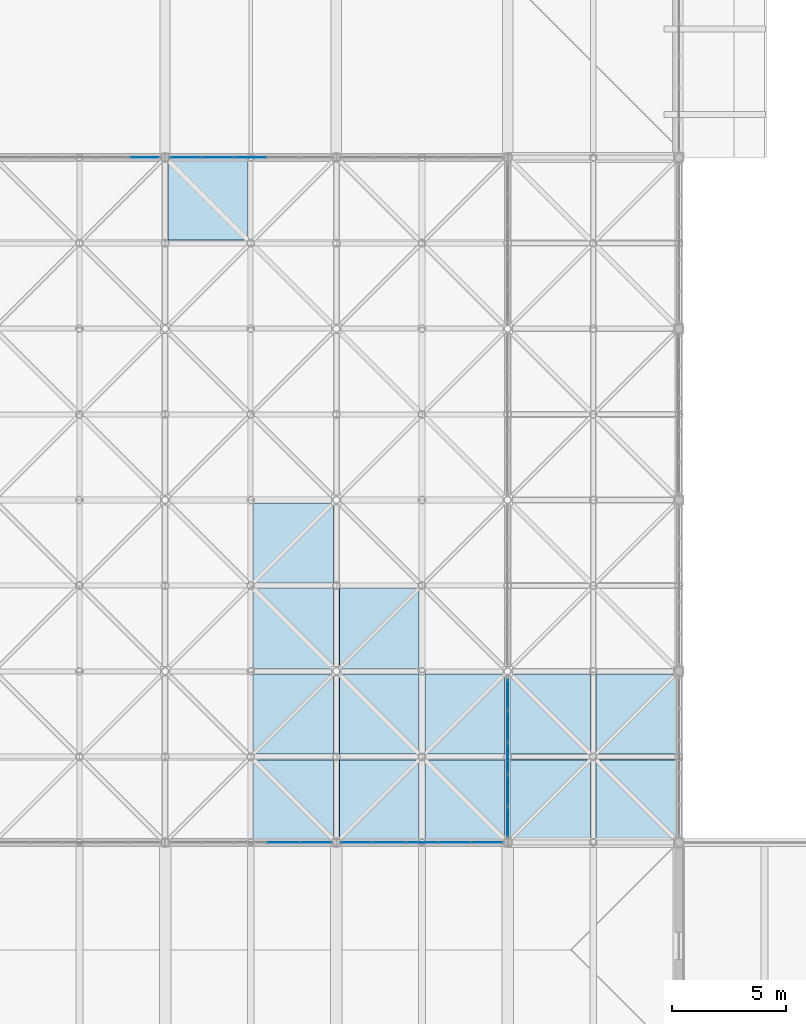
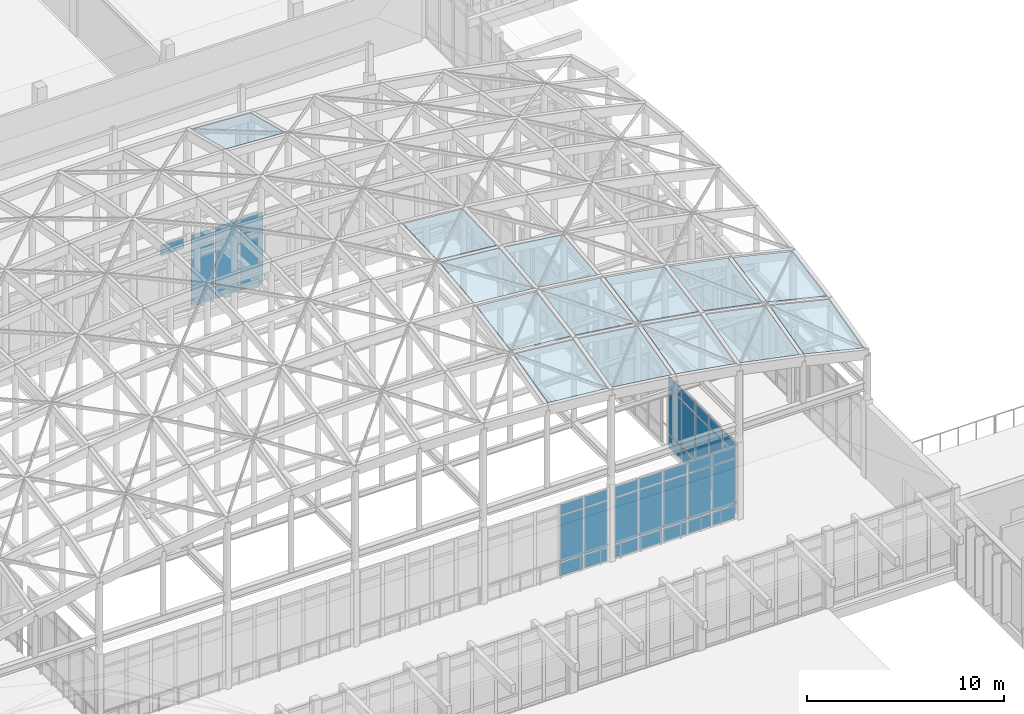
# One storey, part 83 of 131: 60 plates, 6 elements without a shape of their own.
"""IFC4 building model written with IfcOpenShell, lengths in metres."""

from ifc_helpers import new_model, si_unit, direction, frame, origin, origin_2d, place, context, subcontext, project, spatial, polyline, rectangle, outline, extrude, material, layer, layer_set, type_object, element, aggregate, save


model = new_model("IFC4")

# Units and contexts
model_context = context("Model", 3, precision=1e-05, world=origin(), true_north=direction((0.0, 1.0)))
body_context = subcontext(model_context, "Body", "Model", "MODEL_VIEW")
ifc_project = project(units=[si_unit("LENGTHUNIT", "METRE"), si_unit("AREAUNIT", "SQUARE_METRE"), si_unit("VOLUMEUNIT", "CUBIC_METRE"), si_unit("PLANEANGLEUNIT", "RADIAN"), si_unit("MASSUNIT", "GRAM", prefix="KILO")], contexts=[model_context])

# Site, building, storey
site_placement = place(None, origin())
site = spatial("IfcSite", under=ifc_project, at=site_placement, CompositionType="ELEMENT")
building_placement = place(site_placement, origin())
building = spatial("IfcBuilding", under=site, at=building_placement, Name="Dalvernix Boulevard General Hospital", CompositionType="ELEMENT")
storey_placement = place(building_placement, frame((0.0, 0.0, 9.300048828125)))
storey = spatial("IfcBuildingStorey", under=building, at=storey_placement, Name="L02", CompositionType="ELEMENT", Elevation=9.300048828125)

# Curtain wall, plate
ifc_material_1 = material(Name="Thermally broken aluminium and solar-control glass curtain wall", Category="aluminium")
ifc_layer_1 = layer(ifc_material_1, 0.159912109375)
ifc_layer_set_1 = layer_set([ifc_layer_1], Name="Thermally broken aluminium and solar-control glass curtain wall (CW-CW-A-72x46)")
curtain_wall_type_1 = type_object("IfcCurtainWallType", Name="CW-CW-A-72x46", PredefinedType="USERDEFINED", material=ifc_layer_set_1)
curtain_wall_1_placement = place(storey_placement, origin())
curtain_wall_1 = element("IfcCurtainWall", 1, at=curtain_wall_1_placement, inside=storey, type_object=curtain_wall_type_1, Name="L02 curtain wall CW-A-72x46 11-8", ObjectType="GLAZED FACADE", PredefinedType="USERDEFINED")
ifc_material_2 = material(Name="Double-glazed solar-control low-emissivity glass", Category="glass")
ifc_layer_2 = layer(ifc_material_2, 0.02392578125)
ifc_layer_set_2 = layer_set([ifc_layer_2], Name="Double-glazed solar-control low-emissivity glass (PLT-CW-P1)")
plate_type_1 = type_object("IfcPlateType", Name="PLT-CW-P1", PredefinedType="CURTAIN_PANEL", material=ifc_layer_set_2)
plate_1_placement = place(storey_placement, frame((89.10693359375, 61.5, 3.830078125), z_axis=(0.0, 0.0, 1.0), x_axis=(-1.0, 0.0, 0.0)))
plate_1 = element("IfcPlate", 2, at=plate_1_placement, type_object=plate_type_1, Name="CW-A-72x46 panel 1.3", PredefinedType="CURTAIN_PANEL", context=body_context, shape_type="SweptSolid", body=[
    extrude(rectangle(XDim=1.345947265625, YDim=0.02392578125, at=origin_2d()), origin(), (0.0, 0.0, 1.0), 0.659912109375),
])
aggregate(curtain_wall_1, [plate_1])

# Curtain wall, plates
curtain_wall_2_placement = place(storey_placement, origin())
curtain_wall_2 = element("IfcCurtainWall", 3, at=curtain_wall_2_placement, inside=storey, type_object=curtain_wall_type_1, Name="L02 curtain wall CW-A-72x46 12-4", ObjectType="GLAZED FACADE", PredefinedType="USERDEFINED")
plate_2_placement = place(storey_placement, frame((95.18603515625, 31.5, 0.059814453125), z_axis=(0.0, 0.0, 1.0), x_axis=(1.0, 0.0, 0.0)))
plate_2 = element("IfcPlate", 4, at=plate_2_placement, type_object=plate_type_1, Name="CW-A-72x46 panel 4.1", PredefinedType="CURTAIN_PANEL", context=body_context, shape_type="SweptSolid", body=[
    extrude(rectangle(XDim=1.3759765625, YDim=0.02392578125, at=origin_2d()), origin(), (0.0, 0.0, 1.0), 0.81005859375),
])
plate_3_placement = place(storey_placement, frame((95.18603515625, 31.5, 0.9296875), z_axis=(0.0, 0.0, 1.0), x_axis=(1.0, 0.0, 0.0)))
plate_3 = element("IfcPlate", 5, at=plate_3_placement, type_object=plate_type_1, Name="CW-A-72x46 panel 4.2", PredefinedType="CURTAIN_PANEL", context=body_context, shape_type="SweptSolid", body=[
    extrude(rectangle(XDim=1.3759765625, YDim=0.02392578125, at=origin_2d()), origin(), (0.0, 0.0, 1.0), 2.840087890625),
])
plate_4_placement = place(storey_placement, frame((95.18603515625, 31.5, 3.830078125), z_axis=(0.0, 0.0, 1.0), x_axis=(1.0, 0.0, 0.0)))
plate_4 = element("IfcPlate", 6, at=plate_4_placement, type_object=plate_type_1, Name="CW-A-72x46 panel 4.3", PredefinedType="CURTAIN_PANEL", context=body_context, shape_type="SweptSolid", body=[
    extrude(rectangle(XDim=1.3759765625, YDim=0.02392578125, at=origin_2d()), origin(), (0.0, 0.0, 1.0), 0.659912109375),
])
plate_5_placement = place(storey_placement, frame((96.60693359375, 31.5, 0.059814453125), z_axis=(0.0, 0.0, 1.0), x_axis=(1.0, 0.0, 0.0)))
plate_5 = element("IfcPlate", 7, at=plate_5_placement, type_object=plate_type_1, Name="CW-A-72x46 panel 5.1", PredefinedType="CURTAIN_PANEL", context=body_context, shape_type="SweptSolid", body=[
    extrude(rectangle(XDim=1.345947265625, YDim=0.02392578125, at=origin_2d()), origin(), (0.0, 0.0, 1.0), 0.81005859375),
])
plate_6_placement = place(storey_placement, frame((96.60693359375, 31.5, 0.9296875), z_axis=(0.0, 0.0, 1.0), x_axis=(1.0, 0.0, 0.0)))
plate_6 = element("IfcPlate", 8, at=plate_6_placement, type_object=plate_type_1, Name="CW-A-72x46 panel 5.2", PredefinedType="CURTAIN_PANEL", context=body_context, shape_type="SweptSolid", body=[
    extrude(rectangle(XDim=1.345947265625, YDim=0.02392578125, at=origin_2d()), origin(), (0.0, 0.0, 1.0), 2.840087890625),
])
plate_7_placement = place(storey_placement, frame((96.60693359375, 31.5, 3.830078125), z_axis=(0.0, 0.0, 1.0), x_axis=(1.0, 0.0, 0.0)))
plate_7 = element("IfcPlate", 9, at=plate_7_placement, type_object=plate_type_1, Name="CW-A-72x46 panel 5.3", PredefinedType="CURTAIN_PANEL", context=body_context, shape_type="SweptSolid", body=[
    extrude(rectangle(XDim=1.345947265625, YDim=0.02392578125, at=origin_2d()), origin(), (0.0, 0.0, 1.0), 0.659912109375),
])
aggregate(curtain_wall_2, [plate_2, plate_3, plate_4, plate_5, plate_6, plate_7])

ifc_layer_3 = layer(ifc_material_1, 0.179931640625)
ifc_layer_set_3 = layer_set([ifc_layer_3], Name="Thermally broken aluminium and solar-control glass curtain wall (CW-CW-B-72x46)")
curtain_wall_type_2 = type_object("IfcCurtainWallType", Name="CW-CW-B-72x46", PredefinedType="USERDEFINED", material=ifc_layer_set_3)
curtain_wall_3_placement = place(storey_placement, origin())
curtain_wall_3 = element("IfcCurtainWall", 10, at=curtain_wall_3_placement, inside=storey, type_object=curtain_wall_type_2, Name="L02 curtain wall CW-B-72x46 12-8", ObjectType="GLAZED FACADE", PredefinedType="USERDEFINED")
ifc_layer_4 = layer(ifc_material_2, 0.028076171875)
ifc_layer_set_4 = layer_set([ifc_layer_4], Name="Double-glazed solar-control low-emissivity glass (PLT-CW-P2)")
plate_type_2 = type_object("IfcPlateType", Name="PLT-CW-P2", PredefinedType="CURTAIN_PANEL", material=ifc_layer_set_4)
plate_8_placement = place(storey_placement, frame((93.75, 61.5, 0.06494140625), z_axis=(0.0, 0.0, 1.0), x_axis=(-1.0, 0.0, 0.0)))
plate_8 = element("IfcPlate", 11, at=plate_8_placement, type_object=plate_type_2, Name="CW-B-72x46 panel 3.1", PredefinedType="CURTAIN_PANEL", context=body_context, shape_type="SweptSolid", body=[
    extrude(rectangle(XDim=1.37109375, YDim=0.028076171875, at=origin_2d()), origin(), (0.0, 0.0, 1.0), 0.802490234375),
])
plate_9_placement = place(storey_placement, frame((93.75, 61.5, 0.932373046875), z_axis=(0.0, 0.0, 1.0), x_axis=(-1.0, 0.0, 0.0)))
plate_9 = element("IfcPlate", 12, at=plate_9_placement, type_object=plate_type_2, Name="CW-B-72x46 panel 3.2", PredefinedType="CURTAIN_PANEL", context=body_context, shape_type="SweptSolid", body=[
    extrude(rectangle(XDim=1.37109375, YDim=0.028076171875, at=origin_2d()), origin(), (0.0, 0.0, 1.0), 2.8349609375),
])
plate_10_placement = place(storey_placement, frame((93.75, 61.5, 3.83251953125), z_axis=(0.0, 0.0, 1.0), x_axis=(-1.0, 0.0, 0.0)))
plate_10 = element("IfcPlate", 13, at=plate_10_placement, type_object=plate_type_2, Name="CW-B-72x46 panel 3.3", PredefinedType="CURTAIN_PANEL", context=body_context, shape_type="SweptSolid", body=[
    extrude(rectangle(XDim=1.37109375, YDim=0.028076171875, at=origin_2d()), origin(), (0.0, 0.0, 1.0), 0.652587890625),
])
plate_11_placement = place(storey_placement, frame((92.31396484375, 61.5, 0.06494140625), z_axis=(0.0, 0.0, 1.0), x_axis=(-1.0, 0.0, 0.0)))
plate_11 = element("IfcPlate", 14, at=plate_11_placement, type_object=plate_type_2, Name="CW-B-72x46 panel 4.1", PredefinedType="CURTAIN_PANEL", context=body_context, shape_type="SweptSolid", body=[
    extrude(rectangle(XDim=1.37109375, YDim=0.028076171875, at=origin_2d()), origin(), (0.0, 0.0, 1.0), 0.802490234375),
])
plate_12_placement = place(storey_placement, frame((92.31396484375, 61.5, 0.932373046875), z_axis=(0.0, 0.0, 1.0), x_axis=(-1.0, 0.0, 0.0)))
plate_12 = element("IfcPlate", 15, at=plate_12_placement, type_object=plate_type_2, Name="CW-B-72x46 panel 4.2", PredefinedType="CURTAIN_PANEL", context=body_context, shape_type="SweptSolid", body=[
    extrude(rectangle(XDim=1.37109375, YDim=0.028076171875, at=origin_2d()), origin(), (0.0, 0.0, 1.0), 2.8349609375),
])
plate_13_placement = place(storey_placement, frame((92.31396484375, 61.5, 3.83251953125), z_axis=(0.0, 0.0, 1.0), x_axis=(-1.0, 0.0, 0.0)))
plate_13 = element("IfcPlate", 16, at=plate_13_placement, type_object=plate_type_2, Name="CW-B-72x46 panel 4.3", PredefinedType="CURTAIN_PANEL", context=body_context, shape_type="SweptSolid", body=[
    extrude(rectangle(XDim=1.37109375, YDim=0.028076171875, at=origin_2d()), origin(), (0.0, 0.0, 1.0), 0.652587890625),
])
plate_14_placement = place(storey_placement, frame((90.894287109375, 61.5, 0.06494140625), z_axis=(0.0, 0.0, 1.0), x_axis=(-1.0, 0.0, 0.0)))
plate_14 = element("IfcPlate", 17, at=plate_14_placement, type_object=plate_type_2, Name="CW-B-72x46 panel 5.1", PredefinedType="CURTAIN_PANEL", context=body_context, shape_type="SweptSolid", body=[
    extrude(rectangle(XDim=1.33837890625, YDim=0.028076171875, at=origin_2d()), origin(), (0.0, 0.0, 1.0), 0.802490234375),
])
plate_15_placement = place(storey_placement, frame((90.894287109375, 61.5, 0.932373046875), z_axis=(0.0, 0.0, 1.0), x_axis=(-1.0, 0.0, 0.0)))
plate_15 = element("IfcPlate", 18, at=plate_15_placement, type_object=plate_type_2, Name="CW-B-72x46 panel 5.2", PredefinedType="CURTAIN_PANEL", context=body_context, shape_type="SweptSolid", body=[
    extrude(rectangle(XDim=1.33837890625, YDim=0.028076171875, at=origin_2d()), origin(), (0.0, 0.0, 1.0), 2.8349609375),
])
plate_16_placement = place(storey_placement, frame((90.894287109375, 61.5, 3.83251953125), z_axis=(0.0, 0.0, 1.0), x_axis=(-1.0, 0.0, 0.0)))
plate_16 = element("IfcPlate", 19, at=plate_16_placement, type_object=plate_type_2, Name="CW-B-72x46 panel 5.3", PredefinedType="CURTAIN_PANEL", context=body_context, shape_type="SweptSolid", body=[
    extrude(rectangle(XDim=1.33837890625, YDim=0.028076171875, at=origin_2d()), origin(), (0.0, 0.0, 1.0), 0.652587890625),
])
aggregate(curtain_wall_3, [plate_8, plate_9, plate_10, plate_11, plate_12, plate_13, plate_14, plate_15, plate_16])

curtain_wall_4_placement = place(storey_placement, origin())
curtain_wall_4 = element("IfcCurtainWall", 20, at=curtain_wall_4_placement, inside=storey, type_object=curtain_wall_type_2, Name="L02 curtain wall CW-B-72x46 13-4", ObjectType="GLAZED FACADE", PredefinedType="USERDEFINED")
plate_17_placement = place(storey_placement, frame((98.394287109375, 31.5, 0.06494140625), z_axis=(0.0, 0.0, 1.0), x_axis=(1.0, 0.0, 0.0)))
plate_17 = element("IfcPlate", 21, at=plate_17_placement, type_object=plate_type_2, Name="CW-B-72x46 panel 1.1", PredefinedType="CURTAIN_PANEL", context=body_context, shape_type="SweptSolid", body=[
    extrude(rectangle(XDim=1.33837890625, YDim=0.028076171875, at=origin_2d()), origin(), (0.0, 0.0, 1.0), 0.802490234375),
])
plate_18_placement = place(storey_placement, frame((98.394287109375, 31.5, 0.932373046875), z_axis=(0.0, 0.0, 1.0), x_axis=(1.0, 0.0, 0.0)))
plate_18 = element("IfcPlate", 22, at=plate_18_placement, type_object=plate_type_2, Name="CW-B-72x46 panel 1.2", PredefinedType="CURTAIN_PANEL", context=body_context, shape_type="SweptSolid", body=[
    extrude(rectangle(XDim=1.33837890625, YDim=0.028076171875, at=origin_2d()), origin(), (0.0, 0.0, 1.0), 2.8349609375),
])
plate_19_placement = place(storey_placement, frame((98.394287109375, 31.5, 3.83251953125), z_axis=(0.0, 0.0, 1.0), x_axis=(1.0, 0.0, 0.0)))
plate_19 = element("IfcPlate", 23, at=plate_19_placement, type_object=plate_type_2, Name="CW-B-72x46 panel 1.3", PredefinedType="CURTAIN_PANEL", context=body_context, shape_type="SweptSolid", body=[
    extrude(rectangle(XDim=1.33837890625, YDim=0.028076171875, at=origin_2d()), origin(), (0.0, 0.0, 1.0), 0.652587890625),
])
plate_20_placement = place(storey_placement, frame((99.81396484375, 31.5, 0.06494140625), z_axis=(0.0, 0.0, 1.0), x_axis=(1.0, 0.0, 0.0)))
plate_20 = element("IfcPlate", 24, at=plate_20_placement, type_object=plate_type_2, Name="CW-B-72x46 panel 2.1", PredefinedType="CURTAIN_PANEL", context=body_context, shape_type="SweptSolid", body=[
    extrude(rectangle(XDim=1.37109375, YDim=0.028076171875, at=origin_2d()), origin(), (0.0, 0.0, 1.0), 0.802490234375),
])
plate_21_placement = place(storey_placement, frame((99.81396484375, 31.5, 0.932373046875), z_axis=(0.0, 0.0, 1.0), x_axis=(1.0, 0.0, 0.0)))
plate_21 = element("IfcPlate", 25, at=plate_21_placement, type_object=plate_type_2, Name="CW-B-72x46 panel 2.2", PredefinedType="CURTAIN_PANEL", context=body_context, shape_type="SweptSolid", body=[
    extrude(rectangle(XDim=1.37109375, YDim=0.028076171875, at=origin_2d()), origin(), (0.0, 0.0, 1.0), 2.8349609375),
])
plate_22_placement = place(storey_placement, frame((99.81396484375, 31.5, 3.83251953125), z_axis=(0.0, 0.0, 1.0), x_axis=(1.0, 0.0, 0.0)))
plate_22 = element("IfcPlate", 26, at=plate_22_placement, type_object=plate_type_2, Name="CW-B-72x46 panel 2.3", PredefinedType="CURTAIN_PANEL", context=body_context, shape_type="SweptSolid", body=[
    extrude(rectangle(XDim=1.37109375, YDim=0.028076171875, at=origin_2d()), origin(), (0.0, 0.0, 1.0), 0.652587890625),
])
plate_23_placement = place(storey_placement, frame((101.25, 31.5, 0.06494140625), z_axis=(0.0, 0.0, 1.0), x_axis=(1.0, 0.0, 0.0)))
plate_23 = element("IfcPlate", 27, at=plate_23_placement, type_object=plate_type_2, Name="CW-B-72x46 panel 3.1", PredefinedType="CURTAIN_PANEL", context=body_context, shape_type="SweptSolid", body=[
    extrude(rectangle(XDim=1.37109375, YDim=0.028076171875, at=origin_2d()), origin(), (0.0, 0.0, 1.0), 0.802490234375),
])
plate_24_placement = place(storey_placement, frame((101.25, 31.5, 0.932373046875), z_axis=(0.0, 0.0, 1.0), x_axis=(1.0, 0.0, 0.0)))
plate_24 = element("IfcPlate", 28, at=plate_24_placement, type_object=plate_type_2, Name="CW-B-72x46 panel 3.2", PredefinedType="CURTAIN_PANEL", context=body_context, shape_type="SweptSolid", body=[
    extrude(rectangle(XDim=1.37109375, YDim=0.028076171875, at=origin_2d()), origin(), (0.0, 0.0, 1.0), 2.8349609375),
])
plate_25_placement = place(storey_placement, frame((101.25, 31.5, 3.83251953125), z_axis=(0.0, 0.0, 1.0), x_axis=(1.0, 0.0, 0.0)))
plate_25 = element("IfcPlate", 29, at=plate_25_placement, type_object=plate_type_2, Name="CW-B-72x46 panel 3.3", PredefinedType="CURTAIN_PANEL", context=body_context, shape_type="SweptSolid", body=[
    extrude(rectangle(XDim=1.37109375, YDim=0.028076171875, at=origin_2d()), origin(), (0.0, 0.0, 1.0), 0.652587890625),
])
plate_26_placement = place(storey_placement, frame((102.68603515625, 31.5, 0.06494140625), z_axis=(0.0, 0.0, 1.0), x_axis=(1.0, 0.0, 0.0)))
plate_26 = element("IfcPlate", 30, at=plate_26_placement, type_object=plate_type_2, Name="CW-B-72x46 panel 4.1", PredefinedType="CURTAIN_PANEL", context=body_context, shape_type="SweptSolid", body=[
    extrude(rectangle(XDim=1.37109375, YDim=0.028076171875, at=origin_2d()), origin(), (0.0, 0.0, 1.0), 0.802490234375),
])
plate_27_placement = place(storey_placement, frame((102.68603515625, 31.5, 0.932373046875), z_axis=(0.0, 0.0, 1.0), x_axis=(1.0, 0.0, 0.0)))
plate_27 = element("IfcPlate", 31, at=plate_27_placement, type_object=plate_type_2, Name="CW-B-72x46 panel 4.2", PredefinedType="CURTAIN_PANEL", context=body_context, shape_type="SweptSolid", body=[
    extrude(rectangle(XDim=1.37109375, YDim=0.028076171875, at=origin_2d()), origin(), (0.0, 0.0, 1.0), 2.8349609375),
])
plate_28_placement = place(storey_placement, frame((102.68603515625, 31.5, 3.83251953125), z_axis=(0.0, 0.0, 1.0), x_axis=(1.0, 0.0, 0.0)))
plate_28 = element("IfcPlate", 32, at=plate_28_placement, type_object=plate_type_2, Name="CW-B-72x46 panel 4.3", PredefinedType="CURTAIN_PANEL", context=body_context, shape_type="SweptSolid", body=[
    extrude(rectangle(XDim=1.37109375, YDim=0.028076171875, at=origin_2d()), origin(), (0.0, 0.0, 1.0), 0.652587890625),
])
plate_29_placement = place(storey_placement, frame((104.105712890625, 31.5, 0.06494140625), z_axis=(0.0, 0.0, 1.0), x_axis=(1.0, 0.0, 0.0)))
plate_29 = element("IfcPlate", 33, at=plate_29_placement, type_object=plate_type_2, Name="CW-B-72x46 panel 5.1", PredefinedType="CURTAIN_PANEL", context=body_context, shape_type="SweptSolid", body=[
    extrude(rectangle(XDim=1.33837890625, YDim=0.028076171875, at=origin_2d()), origin(), (0.0, 0.0, 1.0), 0.802490234375),
])
plate_30_placement = place(storey_placement, frame((104.105712890625, 31.5, 0.932373046875), z_axis=(0.0, 0.0, 1.0), x_axis=(1.0, 0.0, 0.0)))
plate_30 = element("IfcPlate", 34, at=plate_30_placement, type_object=plate_type_2, Name="CW-B-72x46 panel 5.2", PredefinedType="CURTAIN_PANEL", context=body_context, shape_type="SweptSolid", body=[
    extrude(rectangle(XDim=1.33837890625, YDim=0.028076171875, at=origin_2d()), origin(), (0.0, 0.0, 1.0), 2.8349609375),
])
plate_31_placement = place(storey_placement, frame((104.105712890625, 31.5, 3.83251953125), z_axis=(0.0, 0.0, 1.0), x_axis=(1.0, 0.0, 0.0)))
plate_31 = element("IfcPlate", 35, at=plate_31_placement, type_object=plate_type_2, Name="CW-B-72x46 panel 5.3", PredefinedType="CURTAIN_PANEL", context=body_context, shape_type="SweptSolid", body=[
    extrude(rectangle(XDim=1.33837890625, YDim=0.028076171875, at=origin_2d()), origin(), (0.0, 0.0, 1.0), 0.652587890625),
])
aggregate(curtain_wall_4, [plate_17, plate_18, plate_19, plate_20, plate_21, plate_22, plate_23, plate_24, plate_25, plate_26, plate_27, plate_28, plate_29, plate_30, plate_31])

ifc_layer_5 = layer(ifc_material_1, 0.199951171875)
ifc_layer_set_5 = layer_set([ifc_layer_5], Name="Thermally broken aluminium and solar-control glass curtain wall (CW-CW-C-70x46)")
curtain_wall_type_3 = type_object("IfcCurtainWallType", Name="CW-CW-C-70x46", PredefinedType="USERDEFINED", material=ifc_layer_set_5)
curtain_wall_5_placement = place(storey_placement, origin())
curtain_wall_5 = element("IfcCurtainWall", 36, at=curtain_wall_5_placement, inside=storey, type_object=curtain_wall_type_3, Name="L02 curtain wall CW-C-70x46 14-4", ObjectType="GLAZED FACADE", PredefinedType="USERDEFINED")
ifc_layer_6 = layer(ifc_material_2, 0.035888671875)
ifc_layer_set_6 = layer_set([ifc_layer_6], Name="Double-glazed solar-control low-emissivity glass (PLT-CW-P3)")
plate_type_3 = type_object("IfcPlateType", Name="PLT-CW-P3", PredefinedType="CURTAIN_PANEL", material=ifc_layer_set_6)
plate_32_placement = place(storey_placement, frame((105.0, 32.407470703125, 0.070068359375), z_axis=(0.0, 0.0, 1.0), x_axis=(0.0, 1.0, 0.0)))
plate_32 = element("IfcPlate", 37, at=plate_32_placement, type_object=plate_type_3, Name="CW-C-70x46 panel 1.1", PredefinedType="CURTAIN_PANEL", context=body_context, shape_type="SweptSolid", body=[
    extrude(rectangle(XDim=1.294921875, YDim=0.035888671875, at=origin_2d()), origin(), (0.0, 0.0, 1.0), 0.794921875),
])
plate_33_placement = place(storey_placement, frame((105.0, 32.407470703125, 0.934814453125), z_axis=(0.0, 0.0, 1.0), x_axis=(0.0, 1.0, 0.0)))
plate_33 = element("IfcPlate", 38, at=plate_33_placement, type_object=plate_type_3, Name="CW-C-70x46 panel 1.2", PredefinedType="CURTAIN_PANEL", context=body_context, shape_type="SweptSolid", body=[
    extrude(rectangle(XDim=1.294921875, YDim=0.035888671875, at=origin_2d()), origin(), (0.0, 0.0, 1.0), 2.830078125),
])
plate_34_placement = place(storey_placement, frame((105.0, 32.407470703125, 3.8349609375), z_axis=(0.0, 0.0, 1.0), x_axis=(0.0, 1.0, 0.0)))
plate_34 = element("IfcPlate", 39, at=plate_34_placement, type_object=plate_type_3, Name="CW-C-70x46 panel 1.3", PredefinedType="CURTAIN_PANEL", context=body_context, shape_type="SweptSolid", body=[
    extrude(rectangle(XDim=1.294921875, YDim=0.035888671875, at=origin_2d()), origin(), (0.0, 0.0, 1.0), 0.64501953125),
])
plate_35_placement = place(storey_placement, frame((105.0, 33.7900390625, 0.070068359375), z_axis=(0.0, 0.0, 1.0), x_axis=(0.0, 1.0, 0.0)))
plate_35 = element("IfcPlate", 40, at=plate_35_placement, type_object=plate_type_3, Name="CW-C-70x46 panel 2.1", PredefinedType="CURTAIN_PANEL", context=body_context, shape_type="SweptSolid", body=[
    extrude(rectangle(XDim=1.330078125, YDim=0.035888671875, at=origin_2d()), origin(), (0.0, 0.0, 1.0), 0.794921875),
])
plate_36_placement = place(storey_placement, frame((105.0, 33.7900390625, 0.934814453125), z_axis=(0.0, 0.0, 1.0), x_axis=(0.0, 1.0, 0.0)))
plate_36 = element("IfcPlate", 41, at=plate_36_placement, type_object=plate_type_3, Name="CW-C-70x46 panel 2.2", PredefinedType="CURTAIN_PANEL", context=body_context, shape_type="SweptSolid", body=[
    extrude(rectangle(XDim=1.330078125, YDim=0.035888671875, at=origin_2d()), origin(), (0.0, 0.0, 1.0), 2.830078125),
])
plate_37_placement = place(storey_placement, frame((105.0, 33.7900390625, 3.8349609375), z_axis=(0.0, 0.0, 1.0), x_axis=(0.0, 1.0, 0.0)))
plate_37 = element("IfcPlate", 42, at=plate_37_placement, type_object=plate_type_3, Name="CW-C-70x46 panel 2.3", PredefinedType="CURTAIN_PANEL", context=body_context, shape_type="SweptSolid", body=[
    extrude(rectangle(XDim=1.330078125, YDim=0.035888671875, at=origin_2d()), origin(), (0.0, 0.0, 1.0), 0.64501953125),
])
plate_38_placement = place(storey_placement, frame((105.0, 35.18994140625, 0.070068359375), z_axis=(0.0, 0.0, 1.0), x_axis=(0.0, 1.0, 0.0)))
plate_38 = element("IfcPlate", 43, at=plate_38_placement, type_object=plate_type_3, Name="CW-C-70x46 panel 3.1", PredefinedType="CURTAIN_PANEL", context=body_context, shape_type="SweptSolid", body=[
    extrude(rectangle(XDim=1.330078125, YDim=0.035888671875, at=origin_2d()), origin(), (0.0, 0.0, 1.0), 0.794921875),
])
plate_39_placement = place(storey_placement, frame((105.0, 35.18994140625, 0.934814453125), z_axis=(0.0, 0.0, 1.0), x_axis=(0.0, 1.0, 0.0)))
plate_39 = element("IfcPlate", 44, at=plate_39_placement, type_object=plate_type_3, Name="CW-C-70x46 panel 3.2", PredefinedType="CURTAIN_PANEL", context=body_context, shape_type="SweptSolid", body=[
    extrude(rectangle(XDim=1.330078125, YDim=0.035888671875, at=origin_2d()), origin(), (0.0, 0.0, 1.0), 2.830078125),
])
plate_40_placement = place(storey_placement, frame((105.0, 35.18994140625, 3.8349609375), z_axis=(0.0, 0.0, 1.0), x_axis=(0.0, 1.0, 0.0)))
plate_40 = element("IfcPlate", 45, at=plate_40_placement, type_object=plate_type_3, Name="CW-C-70x46 panel 3.3", PredefinedType="CURTAIN_PANEL", context=body_context, shape_type="SweptSolid", body=[
    extrude(rectangle(XDim=1.330078125, YDim=0.035888671875, at=origin_2d()), origin(), (0.0, 0.0, 1.0), 0.64501953125),
])
plate_41_placement = place(storey_placement, frame((105.0, 36.590087890625, 0.070068359375), z_axis=(0.0, 0.0, 1.0), x_axis=(0.0, 1.0, 0.0)))
plate_41 = element("IfcPlate", 46, at=plate_41_placement, type_object=plate_type_3, Name="CW-C-70x46 panel 4.1", PredefinedType="CURTAIN_PANEL", context=body_context, shape_type="SweptSolid", body=[
    extrude(rectangle(XDim=1.330078125, YDim=0.035888671875, at=origin_2d()), origin(), (0.0, 0.0, 1.0), 0.794921875),
])
plate_42_placement = place(storey_placement, frame((105.0, 36.590087890625, 0.934814453125), z_axis=(0.0, 0.0, 1.0), x_axis=(0.0, 1.0, 0.0)))
plate_42 = element("IfcPlate", 47, at=plate_42_placement, type_object=plate_type_3, Name="CW-C-70x46 panel 4.2", PredefinedType="CURTAIN_PANEL", context=body_context, shape_type="SweptSolid", body=[
    extrude(rectangle(XDim=1.330078125, YDim=0.035888671875, at=origin_2d()), origin(), (0.0, 0.0, 1.0), 2.830078125),
])
plate_43_placement = place(storey_placement, frame((105.0, 36.590087890625, 3.8349609375), z_axis=(0.0, 0.0, 1.0), x_axis=(0.0, 1.0, 0.0)))
plate_43 = element("IfcPlate", 48, at=plate_43_placement, type_object=plate_type_3, Name="CW-C-70x46 panel 4.3", PredefinedType="CURTAIN_PANEL", context=body_context, shape_type="SweptSolid", body=[
    extrude(rectangle(XDim=1.330078125, YDim=0.035888671875, at=origin_2d()), origin(), (0.0, 0.0, 1.0), 0.64501953125),
])
plate_44_placement = place(storey_placement, frame((105.0, 37.972412109375, 0.070068359375), z_axis=(0.0, 0.0, 1.0), x_axis=(0.0, 1.0, 0.0)))
plate_44 = element("IfcPlate", 49, at=plate_44_placement, type_object=plate_type_3, Name="CW-C-70x46 panel 5.1", PredefinedType="CURTAIN_PANEL", context=body_context, shape_type="SweptSolid", body=[
    extrude(rectangle(XDim=1.294921875, YDim=0.035888671875, at=origin_2d()), origin(), (0.0, 0.0, 1.0), 0.794921875),
])
plate_45_placement = place(storey_placement, frame((105.0, 37.972412109375, 0.934814453125), z_axis=(0.0, 0.0, 1.0), x_axis=(0.0, 1.0, 0.0)))
plate_45 = element("IfcPlate", 50, at=plate_45_placement, type_object=plate_type_3, Name="CW-C-70x46 panel 5.2", PredefinedType="CURTAIN_PANEL", context=body_context, shape_type="SweptSolid", body=[
    extrude(rectangle(XDim=1.294921875, YDim=0.035888671875, at=origin_2d()), origin(), (0.0, 0.0, 1.0), 2.830078125),
])
plate_46_placement = place(storey_placement, frame((105.0, 37.972412109375, 3.8349609375), z_axis=(0.0, 0.0, 1.0), x_axis=(0.0, 1.0, 0.0)))
plate_46 = element("IfcPlate", 51, at=plate_46_placement, type_object=plate_type_3, Name="CW-C-70x46 panel 5.3", PredefinedType="CURTAIN_PANEL", context=body_context, shape_type="SweptSolid", body=[
    extrude(rectangle(XDim=1.294921875, YDim=0.035888671875, at=origin_2d()), origin(), (0.0, 0.0, 1.0), 0.64501953125),
])
aggregate(curtain_wall_5, [plate_32, plate_33, plate_34, plate_35, plate_36, plate_37, plate_38, plate_39, plate_40, plate_41, plate_42, plate_43, plate_44, plate_45, plate_46])

# Roof, plates
ifc_material_3 = material(Name="Polychrome Catalan glazed terracotta tile roof system", Category="masonry")
roof_type = type_object("IfcRoofType", Name="ROOF-HIP-01", PredefinedType="HIP_ROOF", material=ifc_material_3)
roof_placement = place(storey_placement, origin())
roof = element("IfcRoof", 52, at=roof_placement, inside=storey, type_object=roof_type, Name="V1 Arrival Hall and Botanical Conservatory Dome Vault Gridshell Roof", PredefinedType="HIP_ROOF")
ifc_material_4 = material(Name="Laminated solar-control glass", Category="glass")
ifc_layer_7 = layer(ifc_material_4, 0.031982421875)
ifc_layer_set_7 = layer_set([ifc_layer_7], Name="Laminated solar-control glass (PLT-GP-01)")
plate_type_4 = type_object("IfcPlateType", Name="PLT-GP-01", PredefinedType="SHEET", material=ifc_layer_set_7)
plate_47_placement = place(storey_placement, frame((90.1298828125, 57.8798828125, 12.0595703125), z_axis=(0.05368470132, 0.248262144287, 0.967204146268), x_axis=(0.998463026489, 8.385236e-06, -0.055421878927)))
plate_47 = element("IfcPlate", 53, at=plate_47_placement, type_object=plate_type_4, Name="Gridshell solar-control glazing panel 9-8", PredefinedType="SHEET", context=body_context, shape_type="SweptSolid", body=[
    extrude(outline(polyline([(0.0, 0.0), (3.4956133785539647, 0.0), (3.545286901289556, 3.603004313230576), (0.04968705346775112, 3.6030648308384348), (0.0, 0.0)])), origin(), (0.0, 0.0, -1.0), 0.031982421875),
])
plate_48_placement = place(storey_placement, frame((93.8798828125, 31.6298828125, 10.95068359375), z_axis=(0.089280380213, -0.247596156464, 0.964740979234), x_axis=(0.99574517266, 0.0, -0.092149612719)))
plate_48 = element("IfcPlate", 54, at=plate_48_placement, type_object=plate_type_4, Name="Gridshell solar-control glazing panel 10-1", PredefinedType="SHEET", context=body_context, shape_type="SweptSolid", body=[
    extrude(outline(polyline([(0.0, 0.0), (3.505148175286846, 0.0), (3.42260497971419, 3.602401167946672), (-0.08254319557265632, 3.602401167946672), (0.0, 0.0)])), origin(), (0.0, 0.0, -1.0), 0.031982421875),
])
plate_49_placement = place(storey_placement, frame((93.8798828125, 35.3798828125, 11.903564453125), z_axis=(0.090617984685, -0.179557224096, 0.979564997398), x_axis=(0.99574847059, 6.125515e-06, -0.092113968973)))
plate_49 = element("IfcPlate", 55, at=plate_49_placement, type_object=plate_type_4, Name="Gridshell solar-control glazing panel 10-2", PredefinedType="SHEET", context=body_context, shape_type="SweptSolid", body=[
    extrude(outline(polyline([(0.0, 0.0), (3.5051256842134633, 0.0), (3.4462265073704548, 3.5478749962050062), (-0.058921665604965125, 3.5479186471782382), (0.0, 0.0)])), origin(), (0.0, 0.0, -1.0), 0.031982421875),
])
plate_50_placement = place(storey_placement, frame((93.8798828125, 39.1298828125, 12.58154296875), z_axis=(0.091533494992, -0.108843157433, 0.989835737067), x_axis=(0.995751561403, 0.0, -0.092080551495)))
plate_50 = element("IfcPlate", 56, at=plate_50_placement, type_object=plate_type_4, Name="Gridshell solar-control glazing panel 10-3", PredefinedType="SHEET", context=body_context, shape_type="SweptSolid", body=[
    extrude(outline(polyline([(0.0, 0.0), (3.5051256862531015, 6.938893903907228e-18), (3.469786177720295, 3.511094011282371), (-0.03533950853280641, 3.511094011282371), (0.0, 0.0)])), origin(), (0.0, 0.0, -1.0), 0.031982421875),
])
plate_51_placement = place(storey_placement, frame((93.8798828125, 42.8798828125, 12.984619140625), z_axis=(0.092088298696, -0.036473370005, 0.995082628993), x_axis=(0.99574517266, 0.0, -0.092149612719)))
plate_51 = element("IfcPlate", 57, at=plate_51_placement, type_object=plate_type_4, Name="Gridshell solar-control glazing panel 10-4", PredefinedType="SHEET", context=body_context, shape_type="SweptSolid", body=[
    extrude(outline(polyline([(0.0, 0.0), (3.505148175286846, 0.0), (3.4933595041284726, 3.492558234962992), (-0.011788671158373376, 3.492558234962992), (0.0, 0.0)])), origin(), (0.0, 0.0, -1.0), 0.031982421875),
])
plate_52_placement = place(storey_placement, frame((97.6298828125, 31.6298828125, 10.598876953125), z_axis=(0.124437606637, -0.246656714614, 0.961080510254), x_axis=(0.991721820954, 0.0, -0.128404944781)))
plate_52 = element("IfcPlate", 58, at=plate_52_placement, type_object=plate_type_4, Name="Gridshell solar-control glazing panel 11-1", PredefinedType="SHEET", context=body_context, shape_type="SweptSolid", body=[
    extrude(outline(polyline([(0.0, 0.0), (3.519368336216846, 1.3877787807814457e-17), (3.4043493561385922, 3.601510542561364), (-0.1150189800782534, 3.601510542561364), (0.0, 0.0)])), origin(), (0.0, 0.0, -1.0), 0.031982421875),
])
plate_53_placement = place(storey_placement, frame((97.6298828125, 35.3798828125, 11.5517578125), z_axis=(0.126333714561, -0.178887447793, 0.975724896468), x_axis=(0.991721820954, 0.0, -0.128404944781)))
plate_53 = element("IfcPlate", 59, at=plate_53_placement, type_object=plate_type_4, Name="Gridshell solar-control glazing panel 11-2", PredefinedType="SHEET", context=body_context, shape_type="SweptSolid", body=[
    extrude(outline(polyline([(0.0, 0.0), (3.519368336216846, 1.3877787807814457e-17), (3.4372029650571014, 3.5474564628411276), (-0.08216537115974437, 3.5474564628411276), (0.0, 0.0)])), origin(), (0.0, 0.0, -1.0), 0.031982421875),
])
plate_54_placement = place(storey_placement, frame((97.6298828125, 39.1298828125, 12.229736328125), z_axis=(0.127647235765, -0.10847601397, 0.985869736626), x_axis=(0.991721820954, 0.0, -0.128404944781)))
plate_54 = element("IfcPlate", 60, at=plate_54_placement, type_object=plate_type_4, Name="Gridshell solar-control glazing panel 11-3", PredefinedType="SHEET", context=body_context, shape_type="SweptSolid", body=[
    extrude(outline(polyline([(0.0, 0.0), (3.519368336216846, 0.0), (3.47005657397561, 3.51095227020231), (-0.049311762241235374, 3.51095227020231), (0.0, 0.0)])), origin(), (0.0, 0.0, -1.0), 0.031982421875),
])
plate_55_placement = place(storey_placement, frame((101.3798828125, 31.6298828125, 10.1083984375), z_axis=(0.159262846617, -0.24541595306, 0.956245970277), x_axis=(0.986412565919, 0.0, -0.164287095653)))
plate_55 = element("IfcPlate", 61, at=plate_55_placement, type_object=plate_type_4, Name="Gridshell solar-control glazing panel 12-1", PredefinedType="SHEET", context=body_context, shape_type="SweptSolid", body=[
    extrude(outline(polyline([(0.0, 0.0), (3.5383109416798204, -2.7755575615628914e-17), (3.391150454875617, 3.6003404484968424), (-0.1471604868042036, 3.600340448496842), (0.0, 0.0)])), origin(), (0.0, 0.0, -1.0), 0.031982421875),
])
plate_56_placement = place(storey_placement, frame((101.3798828125, 35.3798828125, 11.061279296875), z_axis=(0.161632608852, -0.177928272, 0.970678334866), x_axis=(0.986418333153, 5.958532e-06, -0.164252464167)))
plate_56 = element("IfcPlate", 62, at=plate_56_placement, type_object=plate_type_4, Name="Gridshell solar-control glazing panel 12-2", PredefinedType="SHEET", context=body_context, shape_type="SweptSolid", body=[
    extrude(outline(polyline([(0.0, 0.0), (3.5382708387370867, -1.3877787807814457e-17), (3.433227803350353, 3.5468087152684817), (-0.10508313608599307, 3.546851565042061), (0.0, 0.0)])), origin(), (0.0, 0.0, -1.0), 0.031982421875),
])
plate_57_placement = place(storey_placement, frame((105.1298828125, 31.6298828125, 9.47900390625), z_axis=(0.193375729182, -0.243896717211, 0.95032637483), x_axis=(0.979918732622, 0.0, -0.199397285478)))
plate_57 = element("IfcPlate", 63, at=plate_57_placement, type_object=plate_type_4, Name="Gridshell solar-control glazing panel 13-1", PredefinedType="SHEET", context=body_context, shape_type="SweptSolid", body=[
    extrude(outline(polyline([(0.0, 0.0), (3.5617590100154417, 2.7755575615628914e-17), (3.3831485021004206, 3.59891731502979), (-0.17861050791502145, 3.59891731502979), (0.0, 0.0)])), origin(), (0.0, 0.0, -1.0), 0.031982421875),
])
plate_58_placement = place(storey_placement, frame((105.1298828125, 35.3798828125, 10.43212890625), z_axis=(0.196288835097, -0.176791507947, 0.964476778328), x_axis=(0.979911826157, -5.843765e-06, -0.199431223544)))
plate_58 = element("IfcPlate", 64, at=plate_58_placement, type_object=plate_type_4, Name="Gridshell solar-control glazing panel 13-2", PredefinedType="SHEET", context=body_context, shape_type="SweptSolid", body=[
    extrude(outline(polyline([(0.0, 0.0), (3.561807697082036, 1.3877787807814457e-17), (3.4341727411791743, 3.5461116463164957), (-0.12758626663930114, 3.54606935165284), (0.0, 0.0)])), origin(), (0.0, 0.0, -1.0), 0.031982421875),
])
plate_59_placement = place(storey_placement, frame((108.8798828125, 31.6298828125, 8.7109375), z_axis=(0.226864221304, -0.242107279803, 0.943353958045), x_axis=(0.972279781299, 0.0, -0.233820501406)))
plate_59 = element("IfcPlate", 65, at=plate_59_placement, type_object=plate_type_4, Name="Gridshell solar-control glazing panel 14-1", PredefinedType="SHEET", context=body_context, shape_type="SweptSolid", body=[
    extrude(outline(polyline([(0.0, 0.0), (3.5897428313671966, 0.0), (3.3802976605518236, 3.597254546787177), (-0.2094451708153728, 3.597254546787177), (0.0, 0.0)])), origin(), (0.0, 0.0, -1.0), 0.031982421875),
])
plate_60_placement = place(storey_placement, frame((108.8798828125, 35.3798828125, 9.6640625), z_axis=(0.230255316524, -0.175486823091, 0.957176506259), x_axis=(0.972264317957, 0.0, -0.233884792211)))
plate_60 = element("IfcPlate", 66, at=plate_60_placement, type_object=plate_type_4, Name="Gridshell solar-control glazing panel 14-2", PredefinedType="SHEET", context=body_context, shape_type="SweptSolid", body=[
    extrude(outline(polyline([(0.0, 0.0), (3.5897999242986085, 0.0), (3.44013878162624, 3.5452503503060404), (-0.14966114267236852, 3.5452503503060404), (0.0, 0.0)])), origin(), (0.0, 0.0, -1.0), 0.031982421875),
])
aggregate(roof, [plate_47, plate_48, plate_49, plate_50, plate_51, plate_52, plate_53, plate_54, plate_55, plate_56, plate_57, plate_58, plate_59, plate_60])

save(model, "model.ifc")
